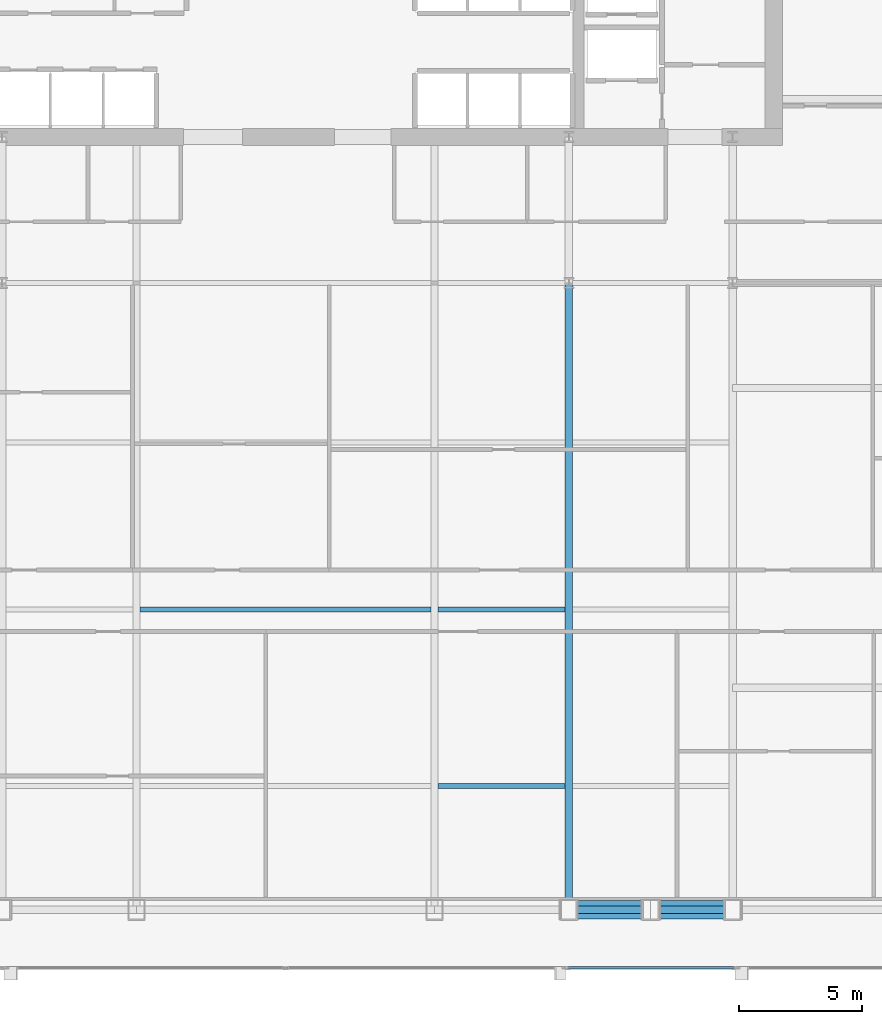
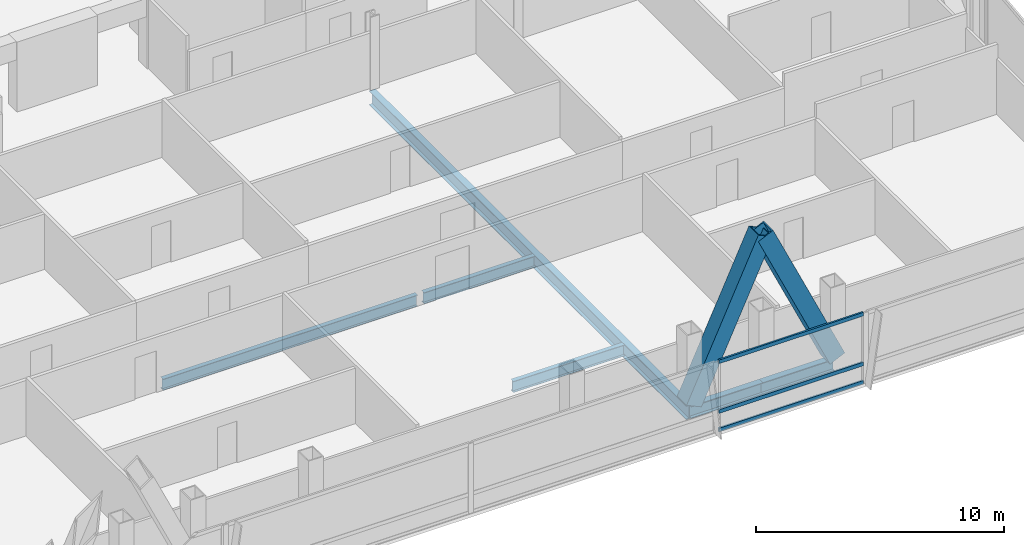
# One storey, part 14 of 31: 6 beams, 5 members, 1 element without a shape of its own.
"""IFC4 building model written with IfcOpenShell, lengths in metres."""

from ifc_helpers import new_model, si_unit, direction, frame, origin, origin_2d, place, context, subcontext, project, spatial, hollow_rectangle, i_section, extrude, material, material_profile, profile_set, type_object, element, aggregate, save


model = new_model("IFC4")

# Units and contexts
model_context = context("Model", 3, precision=1e-05, world=origin(), true_north=direction((0.0, 1.0)))
body_context = subcontext(model_context, "Body", "Model", "MODEL_VIEW")
ifc_project = project(units=[si_unit("LENGTHUNIT", "METRE"), si_unit("AREAUNIT", "SQUARE_METRE"), si_unit("VOLUMEUNIT", "CUBIC_METRE"), si_unit("PLANEANGLEUNIT", "RADIAN"), si_unit("MASSUNIT", "GRAM", prefix="KILO")], contexts=[model_context])

# Site, building, storey
site_placement = place(None, origin())
site = spatial("IfcSite", under=ifc_project, at=site_placement, CompositionType="ELEMENT")
building_placement = place(site_placement, origin())
building = spatial("IfcBuilding", under=site, at=building_placement, Name="Khoronbel Lancet Exchange", CompositionType="ELEMENT")
storey_placement = place(building_placement, frame((0.0, 0.0, 129.0)))
storey = spatial("IfcBuildingStorey", under=building, at=storey_placement, Name="L31", CompositionType="ELEMENT", Elevation=129.0)

# Beams
ifc_material_1 = material(Name="Steel S355", Category="steel")
ifc_material_profile_1 = material_profile(ifc_material_1, i_section(OverallWidth=0.300048828125, OverallDepth=0.699951171875, WebThickness=0.01708984375, FlangeThickness=0.031982421875, at=origin_2d()), Name="HEB 700")
ifc_profile_set_1 = profile_set([ifc_material_profile_1], Name="Steel S355")
beam_type_1 = type_object("IfcBeamType", Name="BM-BG3", PredefinedType="BEAM", material=ifc_profile_set_1)
beam_1_placement = place(storey_placement, frame((48.0, 10.14990234375, -0.510009765625), z_axis=(0.0, 1.0, 0.0), x_axis=(-1.0, 0.0, 0.0)))
element("IfcBeam", 1, at=beam_1_placement, inside=storey, type_object=beam_type_1, Name="Level L31 south primary girder GS5", PredefinedType="BEAM", context=body_context, shape_type="SweptSolid", body=[
    extrude(i_section(OverallWidth=0.300048828125, OverallDepth=0.699951171875, WebThickness=0.01708984375, FlangeThickness=0.031982421875, at=origin_2d()), origin(), (0.0, 0.0, 1.0), 25.550048828125),
])
ifc_material_profile_2 = material_profile(ifc_material_1, i_section(OverallWidth=0.2099609375, OverallDepth=0.550048828125, WebThickness=0.010986328125, FlangeThickness=0.01708984375, at=origin_2d()), Name="IPE 550")
ifc_profile_set_2 = profile_set([ifc_material_profile_2], Name="Steel S355")
beam_type_2 = type_object("IfcBeamType", Name="BM-BJ2", PredefinedType="JOIST", material=ifc_profile_set_2)
beam_2_placement = place(storey_placement, frame((42.675048828125, 15.199951171875, -0.43505859375), z_axis=(1.0, 0.0, 0.0), x_axis=(0.0, 1.0, 0.0)))
element("IfcBeam", 2, at=beam_2_placement, inside=storey, type_object=beam_type_2, Name="Level L31 secondary composite joist J04", PredefinedType="JOIST", context=body_context, shape_type="SweptSolid", body=[
    extrude(i_section(OverallWidth=0.2099609375, OverallDepth=0.550048828125, WebThickness=0.010986328125, FlangeThickness=0.01708984375, at=origin_2d()), origin(), (0.0, 0.0, 1.0), 5.175048828125),
])
beam_3_placement = place(storey_placement, frame((30.52490234375, 22.39990234375, -0.43505859375), z_axis=(1.0, 0.0, 0.0), x_axis=(0.0, 1.0, 0.0)))
element("IfcBeam", 3, at=beam_3_placement, inside=storey, type_object=beam_type_2, Name="Level L31 secondary composite joist J08", PredefinedType="JOIST", context=body_context, shape_type="SweptSolid", body=[
    extrude(i_section(OverallWidth=0.2099609375, OverallDepth=0.550048828125, WebThickness=0.010986328125, FlangeThickness=0.01708984375, at=origin_2d()), origin(), (0.0, 0.0, 1.0), 11.85009765625),
])
beam_4_placement = place(storey_placement, frame((42.675048828125, 22.39990234375, -0.43505859375), z_axis=(1.0, 0.0, 0.0), x_axis=(0.0, 1.0, 0.0)))
element("IfcBeam", 4, at=beam_4_placement, inside=storey, type_object=beam_type_2, Name="Level L31 secondary composite joist J09", PredefinedType="JOIST", context=body_context, shape_type="SweptSolid", body=[
    extrude(i_section(OverallWidth=0.2099609375, OverallDepth=0.550048828125, WebThickness=0.010986328125, FlangeThickness=0.01708984375, at=origin_2d()), origin(), (0.0, 0.0, 1.0), 5.175048828125),
])
ifc_material_profile_3 = material_profile(ifc_material_1, i_section(OverallWidth=0.300048828125, OverallDepth=0.60009765625, WebThickness=0.015380859375, FlangeThickness=0.030029296875, at=origin_2d()), Name="HEB 600")
ifc_profile_set_3 = profile_set([ifc_material_profile_3], Name="Steel S355")
beam_type_3 = type_object("IfcBeamType", Name="BM-BSP2", PredefinedType="SPANDREL", material=ifc_profile_set_3)
beam_5_placement = place(storey_placement, frame((48.0, 10.14990234375, -0.4599609375), z_axis=(1.0, 0.0, 0.0), x_axis=(0.0, 1.0, 0.0)))
element("IfcBeam", 5, at=beam_5_placement, inside=storey, type_object=beam_type_3, Name="Level L31 perimeter spandrel beam SP07", PredefinedType="SPANDREL", context=body_context, shape_type="SweptSolid", body=[
    extrude(i_section(OverallWidth=0.300048828125, OverallDepth=0.60009765625, WebThickness=0.015380859375, FlangeThickness=0.030029296875, at=origin_2d()), origin(), (0.0, 0.0, 1.0), 3.33740234375),
])
beam_6_placement = place(storey_placement, frame((51.33740234375, 10.14990234375, -0.4599609375), z_axis=(1.0, 0.0, 0.0), x_axis=(0.0, 1.0, 0.0)))
element("IfcBeam", 6, at=beam_6_placement, inside=storey, type_object=beam_type_3, Name="Level L31 perimeter spandrel beam SP08", PredefinedType="SPANDREL", context=body_context, shape_type="SweptSolid", body=[
    extrude(i_section(OverallWidth=0.300048828125, OverallDepth=0.60009765625, WebThickness=0.015380859375, FlangeThickness=0.030029296875, at=origin_2d()), origin(), (0.0, 0.0, 1.0), 3.337646484375),
])

# Curtain wall, members
ifc_material_2 = material(Name="Low-E Solar Control Insulating Glass", Category="glass")
curtain_wall_type = type_object("IfcCurtainWallType", Name="CW-2", PredefinedType="NOTDEFINED", material=ifc_material_2)
curtain_wall_placement = place(storey_placement, origin())
curtain_wall = element("IfcCurtainWall", 7, at=curtain_wall_placement, inside=storey, type_object=curtain_wall_type, Name="Unitised curtain wall CW-L31-SEB", PredefinedType="NOTDEFINED")
ifc_material_3 = material(Name="Bronze-Anodised Aluminium 6063-T6", Category="aluminium")
ifc_material_profile_4 = material_profile(ifc_material_3, hollow_rectangle(XDim=0.0849609375, YDim=0.179931640625, WallThickness=0.0048828125, at=origin_2d()), Name="ALU TRANSOM 85x180")
ifc_profile_set_4 = profile_set([ifc_material_profile_4], Name="Bronze-Anodised Aluminium 6063-T6")
member_type_1 = type_object("IfcMemberType", Name="MEM-CWT1", PredefinedType="USERDEFINED", material=ifc_profile_set_4)
member_1_placement = place(storey_placement, frame((47.985107421875, 7.7900390625, 0.04248046875), z_axis=(1.0, 0.0, 0.0), x_axis=(0.0, 1.0, 0.0)))
member_1 = element("IfcMember", 8, at=member_1_placement, type_object=member_type_1, Name="CW2 transom 1.1", ObjectType="TRANSOM", PredefinedType="USERDEFINED", context=body_context, shape_type="SweptSolid", body=[
    extrude(hollow_rectangle(XDim=0.0849609375, YDim=0.179931640625, WallThickness=0.0048828125, at=origin_2d()), origin(), (0.0, 0.0, 1.0), 6.72998046875),
])
member_2_placement = place(storey_placement, frame((47.985107421875, 7.7900390625, 0.949951171875), z_axis=(1.0, 0.0, 0.0), x_axis=(0.0, 1.0, 0.0)))
member_2 = element("IfcMember", 9, at=member_2_placement, type_object=member_type_1, Name="CW2 transom 1.2", ObjectType="TRANSOM", PredefinedType="USERDEFINED", context=body_context, shape_type="SweptSolid", body=[
    extrude(hollow_rectangle(XDim=0.0849609375, YDim=0.179931640625, WallThickness=0.0048828125, at=origin_2d()), origin(), (0.0, 0.0, 1.0), 6.72998046875),
])
member_3_placement = place(storey_placement, frame((47.985107421875, 7.7900390625, 3.3974609375), z_axis=(1.0, 0.0, 0.0), x_axis=(0.0, 1.0, 0.0)))
member_3 = element("IfcMember", 10, at=member_3_placement, type_object=member_type_1, Name="CW2 transom 1.3", ObjectType="TRANSOM", PredefinedType="USERDEFINED", context=body_context, shape_type="SweptSolid", body=[
    extrude(hollow_rectangle(XDim=0.0849609375, YDim=0.179931640625, WallThickness=0.0048828125, at=origin_2d()), origin(), (0.0, 0.0, 1.0), 6.72998046875),
])
aggregate(curtain_wall, [member_1, member_2, member_3])

# Members
ifc_material_4 = material(Name="Steel S460", Category="steel")
ifc_material_profile_5 = material_profile(ifc_material_4, hollow_rectangle(XDim=0.760009765625, YDim=0.760009765625, WallThickness=0.054931640625, at=origin_2d()), Name="BOX 760x760x55")
ifc_profile_set_5 = profile_set([ifc_material_profile_5], Name="Steel S460")
member_type_2 = type_object("IfcMemberType", Name="MEM-MB1", PredefinedType="BRACE", material=ifc_profile_set_5)
member_4_placement = place(storey_placement, frame((48.0, 10.14990234375, 0.0), z_axis=(0.420548106082, 0.0, 0.907270241147), x_axis=(0.0, 1.0, 0.0)))
element("IfcMember", 11, at=member_4_placement, inside=storey, type_object=member_type_2, Name="Perimeter lancet brace tier 10 S-E-L", PredefinedType="BRACE", context=body_context, shape_type="SweptSolid", body=[
    extrude(hollow_rectangle(XDim=0.760009765625, YDim=0.760009765625, WallThickness=0.054931640625, at=origin_2d()), origin(), (0.0, 0.0, 1.0), 7.935791015625),
])
member_5_placement = place(storey_placement, frame((54.675048828125, 10.14990234375, 0.0), z_axis=(-0.420573428903, 0.0, 0.907258502799), x_axis=(0.0, -1.0, 0.0)))
element("IfcMember", 12, at=member_5_placement, inside=storey, type_object=member_type_2, Name="Perimeter lancet brace tier 10 S-E-R", PredefinedType="BRACE", context=body_context, shape_type="SweptSolid", body=[
    extrude(hollow_rectangle(XDim=0.760009765625, YDim=0.760009765625, WallThickness=0.054931640625, at=origin_2d()), origin(), (0.0, 0.0, 1.0), 7.93603515625),
])

save(model, "model.ifc")
